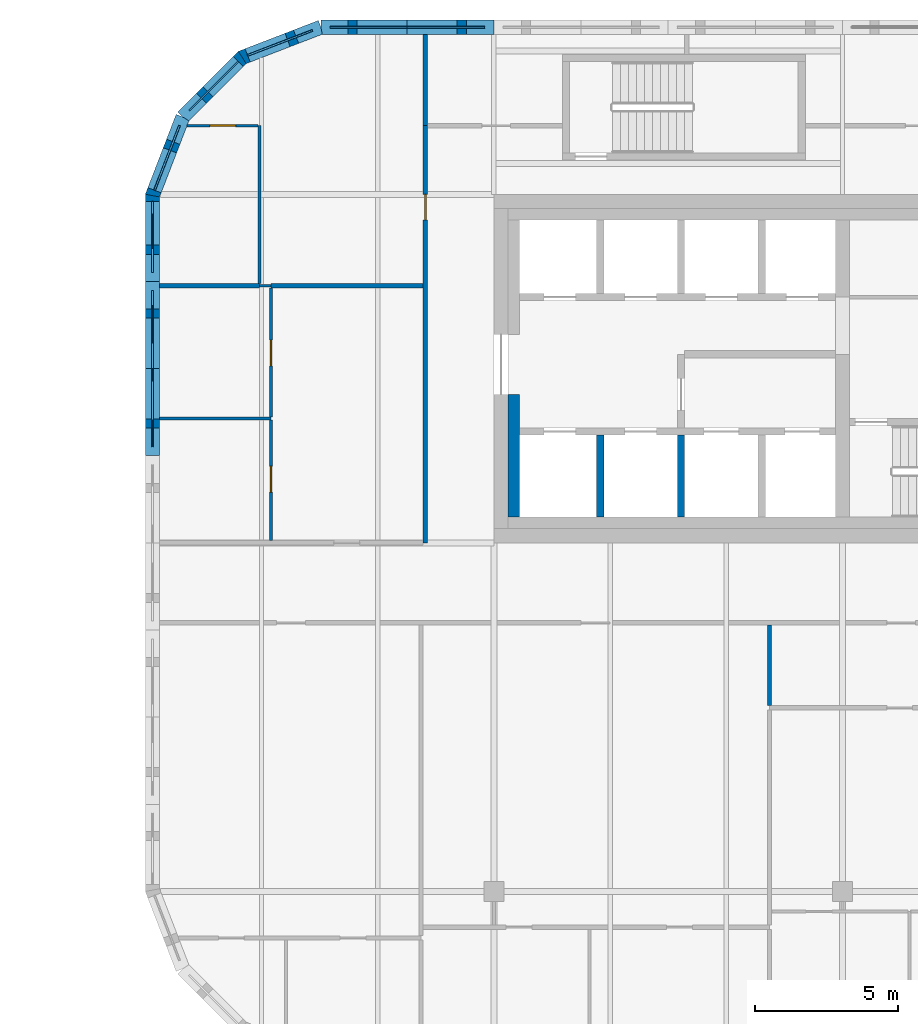
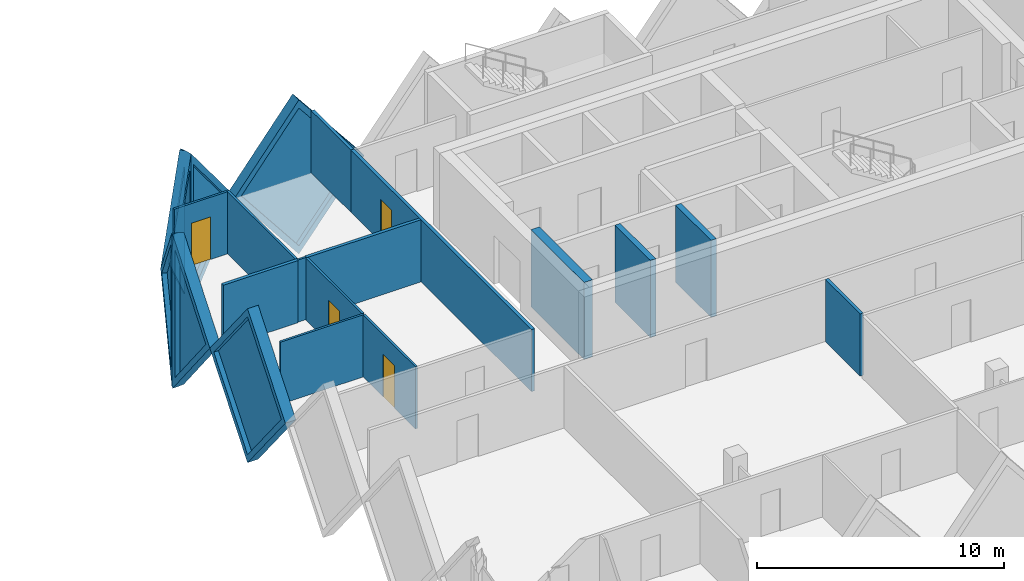
# One storey, part 13 of 19: 20 walls, 6 plates, 4 doors, 10 openings.
"""IFC4 building model written with IfcOpenShell, lengths in metres."""

from ifc_helpers import new_model, si_unit, direction, frame, frame_2d, origin, place, context, subcontext, project, spatial, polyline, rectangle, outline, extrude, faceted_brep, source, transform, mapped, material, layer, layer_set, type_object, element, fill, save


model = new_model("IFC4")

# Units and contexts
model_context = context("Model", 3, precision=1e-05, world=origin(), true_north=direction((0.0, 1.0)))
body_context = subcontext(model_context, "Body", "Model", "MODEL_VIEW")
ifc_project = project(units=[si_unit("LENGTHUNIT", "METRE"), si_unit("AREAUNIT", "SQUARE_METRE"), si_unit("VOLUMEUNIT", "CUBIC_METRE"), si_unit("PLANEANGLEUNIT", "RADIAN"), si_unit("MASSUNIT", "GRAM", prefix="KILO")], contexts=[model_context])

# Site, building, storey
site_placement = place(None, origin())
site = spatial("IfcSite", under=ifc_project, at=site_placement, CompositionType="ELEMENT")
building_placement = place(site_placement, origin())
building = spatial("IfcBuilding", under=site, at=building_placement, Name="Tessera Gate Towers", CompositionType="ELEMENT")
storey_placement = place(building_placement, frame((0.0, 0.0, 72.39990234375)))
storey = spatial("IfcBuildingStorey", under=building, at=storey_placement, Name="L17", CompositionType="ELEMENT", Elevation=72.39990234375)

# Walls
ifc_material_1 = material(Name="Concrete C40/50", Category="concrete")
ifc_layer_1 = layer(ifc_material_1, 0.25)
ifc_layer_set_1 = layer_set([ifc_layer_1], Name="CORE ENCLOSURE WALL 250")
wall_type_1 = type_object("IfcWallType", Name="CORE ENCLOSURE WALL 250", PredefinedType="SOLIDWALL", material=ifc_layer_set_1)
for number, where, z_axis, x_axis, name in (
    (1, (104.14990234375, 37.5, 0.0), (0.0, 0.0, 1.0), (0.0, 1.0, 0.0), "L17 shaft and stair enclosure wall"),
    (2, (101.324951171875, 37.5, 0.0), (0.0, 0.0, 1.0), (0.0, 1.0, 0.0), "L17 shaft and stair enclosure wall"),
):
    element("IfcWall", number, at=place(storey_placement, frame(where, z_axis=z_axis, x_axis=x_axis)), inside=storey, type_object=wall_type_1, Name=name, PredefinedType="SOLIDWALL", context=body_context, shape_type="SweptSolid", body=[
        extrude(rectangle(XDim=2.875, YDim=0.25, at=frame_2d((1.4375, 0.0))), origin(), (0.0, 0.0, 1.0), 3.800048828125),
    ])
ifc_material_2 = material(Name="Concrete C50/60", Category="concrete")
ifc_layer_2 = layer(ifc_material_2, 0.39990234375)
ifc_layer_set_2 = layer_set([ifc_layer_2], Name="CORE WALL THICKENING 400")
wall_type_2 = type_object("IfcWallType", Name="CORE WALL THICKENING 400", PredefinedType="SOLIDWALL", material=ifc_layer_set_2)
wall_1_placement = place(storey_placement, frame((98.300048828125, 37.5, 0.0), z_axis=(0.0, 0.0, 1.0), x_axis=(0.0, 1.0, 0.0)))
element("IfcWall", 3, at=wall_1_placement, inside=storey, type_object=wall_type_2, Name="Core wall thickening W L17", PredefinedType="SOLIDWALL", context=body_context, shape_type="SweptSolid", body=[
    extrude(rectangle(XDim=4.300048828125, YDim=0.39990234375, at=frame_2d((2.14990234375, 0.0))), origin(), (0.0, 0.0, 1.0), 3.800048828125),
])

# Wall, opening, door
ifc_material_3 = material(Name="Gypsum board on steel studs, mineral wool", Category="steel")
ifc_layer_3 = layer(ifc_material_3, 0.14990234375)
ifc_layer_set_3 = layer_set([ifc_layer_3], Name="CORRIDOR WALL 150")
wall_type_3 = type_object("IfcWallType", Name="CORRIDOR WALL 150", PredefinedType="PARTITIONING", material=ifc_layer_set_3)
wall_2_placement = place(storey_placement, frame((95.199951171875, 36.60009765625, 0.0), z_axis=(0.0, 0.0, 1.0), x_axis=(0.0, 1.0, 0.0)))
wall_2 = element("IfcWall", 4, at=wall_2_placement, inside=storey, type_object=wall_type_3, Name="T2-L17-PW-029", PredefinedType="PARTITIONING", context=body_context, shape_type="SweptSolid", body=[
    extrude(rectangle(XDim=14.599853515625, YDim=0.14990234375, at=frame_2d((7.2998046875, 0.0))), origin(), (0.0, 0.0, 1.0), 3.067138671875),
])
shared_shape_1 = source(origin(), body_context, "Body", "SweptSolid", [
    extrude(rectangle(XDim=0.89990234375, YDim=2.10009765625, at=frame_2d((0.449951171875, 1.050048828125))), frame((0.0, 0.0849609375, 0.0), z_axis=(0.0, -1.0, 0.0), x_axis=(1.0, 0.0, 0.0)), (0.0, 0.0, 1.0), 0.169921875),
])
opening_1_placement = place(wall_2_placement, frame((11.301025390625, 0.0, 0.0)))
opening_1 = element("IfcOpeningElement", 5, at=opening_1_placement, cuts=wall_2, Name="Opening D890FD60-B07-01", PredefinedType="OPENING", context=body_context, shape_type="MappedRepresentation", body=[
    mapped(shared_shape_1, transform((0.0, 0.0, 0.0), scale=1.0)),
])
ifc_material_4 = material(Name="Timber door leaf in steel frame", Category="steel")
door_type_1 = type_object("IfcDoorType", Name="CORRIDOR DOOR 900 FD60", OperationType="NOTDEFINED", PredefinedType="DOOR", material=ifc_material_4)
shared_shape_2 = source(origin(), body_context, "Body", "SweptSolid", [
    extrude(rectangle(XDim=0.89990234375, YDim=2.10009765625, at=frame_2d((0.449951171875, 1.050048828125))), frame((0.0, 0.02490234375, 0.0), z_axis=(0.0, -1.0, 0.0), x_axis=(1.0, 0.0, 0.0)), (0.0, 0.0, 1.0), 0.050048828125),
])
door_1_placement = place(opening_1_placement, origin())
door_1 = element("IfcDoor", 6, at=door_1_placement, inside=storey, type_object=door_type_1, Name="T2-L17-PD-010", OperationType="SINGLE_SWING_LEFT", OverallHeight=2.10009765625, OverallWidth=0.89990234375, PredefinedType="DOOR", context=body_context, shape_type="MappedRepresentation", body=[
    mapped(shared_shape_2, transform((0.0, 0.0, 0.0), scale=1.0)),
])
fill(opening_1, door_1)

ifc_material_5 = material(Name="Glass", Category="glass")
ifc_layer_4 = layer(ifc_material_5, 0.10009765625)
ifc_layer_set_4 = layer_set([ifc_layer_4], Name="GLAZED PARTITION 100")
wall_type_4 = type_object("IfcWallType", Name="GLAZED PARTITION 100", PredefinedType="PARTITIONING", material=ifc_layer_set_4)
wall_3_placement = place(storey_placement, frame((89.800048828125, 36.676025390625, 0.0), z_axis=(0.0, 0.0, 1.0), x_axis=(0.0, 1.0, 0.0)))
wall_3 = element("IfcWall", 7, at=wall_3_placement, inside=storey, type_object=wall_type_4, Name="T2-L17-PW-032", PredefinedType="PARTITIONING", context=body_context, shape_type="SweptSolid", body=[
    extrude(rectangle(XDim=4.220703125, YDim=0.10009765625, at=frame_2d((2.1103515625, 0.0))), origin(), (0.0, 0.0, 1.0), 3.067138671875),
])
shared_shape_3 = source(origin(), body_context, "Body", "SweptSolid", [
    extrude(rectangle(XDim=0.89990234375, YDim=2.10009765625, at=frame_2d((0.449951171875, 1.050048828125))), frame((0.0, 0.06005859375, 0.0), z_axis=(0.0, -1.0, 0.0), x_axis=(1.0, 0.0, 0.0)), (0.0, 0.0, 1.0), 0.1201171875),
])
opening_2_placement = place(wall_3_placement, frame((1.699951171875, 0.0, 0.0)))
opening_2 = element("IfcOpeningElement", 8, at=opening_2_placement, cuts=wall_3, Name="Opening D690-B07-01", PredefinedType="OPENING", context=body_context, shape_type="MappedRepresentation", body=[
    mapped(shared_shape_3, transform((0.0, 0.0, 0.0), scale=1.0)),
])
ifc_material_6 = material(Name="Glass in aluminium frame", Category="aluminium")
door_type_2 = type_object("IfcDoorType", Name="GLAZED DOOR 900 NOT RATED", OperationType="NOTDEFINED", PredefinedType="DOOR", material=ifc_material_6)
door_2_placement = place(opening_2_placement, origin())
door_2 = element("IfcDoor", 9, at=door_2_placement, inside=storey, type_object=door_type_2, Name="T2-L17-PD-003", OperationType="SINGLE_SWING_LEFT", OverallHeight=2.10009765625, OverallWidth=0.89990234375, PredefinedType="DOOR", context=body_context, shape_type="MappedRepresentation", body=[
    mapped(shared_shape_2, transform((0.0, 0.0, 0.0), scale=1.0)),
])
fill(opening_2, door_2)

wall_4_placement = place(storey_placement, frame((89.800048828125, 40.998779296875, 0.0), z_axis=(0.0, 0.0, 1.0), x_axis=(0.0, 1.0, 0.0)))
wall_4 = element("IfcWall", 10, at=wall_4_placement, inside=storey, type_object=wall_type_4, Name="T2-L17-PW-035", PredefinedType="PARTITIONING", context=body_context, shape_type="SweptSolid", body=[
    extrude(rectangle(XDim=4.525146484375, YDim=0.10009765625, at=frame_2d((2.2626953125, 0.0))), origin(), (0.0, 0.0, 1.0), 3.067138671875),
])
opening_3_placement = place(wall_4_placement, frame((1.800048828125, 0.0, 0.0)))
opening_3 = element("IfcOpeningElement", 11, at=opening_3_placement, cuts=wall_4, Name="Opening D690-B07-02", PredefinedType="OPENING", context=body_context, shape_type="MappedRepresentation", body=[
    mapped(shared_shape_3, transform((0.0, 0.0, 0.0), scale=1.0)),
])
door_3_placement = place(opening_3_placement, origin())
door_3 = element("IfcDoor", 12, at=door_3_placement, inside=storey, type_object=door_type_2, Name="T2-L17-PD-005", OperationType="SINGLE_SWING_LEFT", OverallHeight=2.10009765625, OverallWidth=0.89990234375, PredefinedType="DOOR", context=body_context, shape_type="MappedRepresentation", body=[
    mapped(shared_shape_2, transform((0.0, 0.0, 0.0), scale=1.0)),
])
fill(opening_3, door_3)

# Walls
wall_5_placement = place(storey_placement, frame((89.39599609375, 45.60009765625, 0.0), z_axis=(0.0, 0.0, 1.0), x_axis=(1.0, 0.0, 0.0)))
element("IfcWall", 13, at=wall_5_placement, inside=storey, type_object=wall_type_4, Name="T2-L17-PW-040", PredefinedType="PARTITIONING", context=body_context, shape_type="SweptSolid", body=[
    extrude(rectangle(XDim=0.403076171875, YDim=0.10009765625, at=frame_2d((0.20166015625, 0.0))), origin(), (0.0, 0.0, 1.0), 3.067138671875),
])
ifc_material_7 = material(Name="Gypsum board on steel studs", Category="steel")
ifc_layer_5 = layer(ifc_material_7, 0.10009765625)
ifc_layer_set_5 = layer_set([ifc_layer_5], Name="PARTITION 100")
wall_type_5 = type_object("IfcWallType", Name="PARTITION 100", PredefinedType="PARTITIONING", material=ifc_layer_set_5)
wall_6_placement = place(storey_placement, frame((85.89990234375, 40.947998046875, 0.0), z_axis=(0.0, 0.0, 1.0), x_axis=(1.0, 0.0, 0.0)))
element("IfcWall", 14, at=wall_6_placement, inside=storey, type_object=wall_type_5, Name="T2-L17-PW-034", PredefinedType="PARTITIONING", context=body_context, shape_type="SweptSolid", body=[
    extrude(rectangle(XDim=3.900146484375, YDim=0.10009765625, at=frame_2d((1.9501953125, 0.0))), origin(), (0.0, 0.0, 1.0), 3.067138671875),
])
wall_7_placement = place(storey_placement, frame((89.39501953125, 45.676025390625, 0.0), z_axis=(0.0, 0.0, 1.0), x_axis=(0.0, 1.0, 0.0)))
element("IfcWall", 15, at=wall_7_placement, inside=storey, type_object=wall_type_5, Name="T2-L17-PW-042", PredefinedType="PARTITIONING", context=body_context, shape_type="SweptSolid", body=[
    extrude(rectangle(XDim=5.52392578125, YDim=0.10009765625, at=frame_2d((2.761962890625, 0.0))), origin(), (0.0, 0.0, 1.0), 3.067138671875),
])

# Wall, opening, door
wall_8_placement = place(storey_placement, frame((89.343994140625, 51.199951171875, 0.0), z_axis=(0.0, 0.0, 1.0), x_axis=(-1.0, 0.0, 0.0)))
wall_8 = element("IfcWall", 16, at=wall_8_placement, inside=storey, type_object=wall_type_5, Name="T2-L17-PW-043", PredefinedType="PARTITIONING", context=body_context, shape_type="SweptSolid", body=[
    extrude(rectangle(XDim=2.482177734375, YDim=0.10009765625, at=frame_2d((1.2412109375, 0.0))), origin(), (0.0, 0.0, 1.0), 3.067138671875),
])
opening_4_placement = place(wall_8_placement, frame((0.7822265625, 0.0, 0.0)))
opening_4 = element("IfcOpeningElement", 17, at=opening_4_placement, cuts=wall_8, Name="Opening D190-B07-10", PredefinedType="OPENING", context=body_context, shape_type="MappedRepresentation", body=[
    mapped(shared_shape_3, transform((0.0, 0.0, 0.0), scale=1.0)),
])
ifc_material_8 = material(Name="Timber door leaf in steel frame", Category="steel")
door_type_3 = type_object("IfcDoorType", Name="INTERNAL DOOR 900 NOT RATED", OperationType="NOTDEFINED", PredefinedType="DOOR", material=ifc_material_8)
door_4_placement = place(opening_4_placement, origin())
door_4 = element("IfcDoor", 18, at=door_4_placement, inside=storey, type_object=door_type_3, Name="T2-L17-PD-016", OperationType="SINGLE_SWING_RIGHT", OverallHeight=2.10009765625, OverallWidth=0.89990234375, PredefinedType="DOOR", context=body_context, shape_type="MappedRepresentation", body=[
    mapped(shared_shape_2, transform((0.0, 0.0, 0.0), scale=1.0)),
])
fill(opening_4, door_4)

# Walls
ifc_material_9 = material(Name="Gypsum board on steel studs, mineral wool", Category="steel")
ifc_layer_6 = layer(ifc_material_9, 0.14990234375)
ifc_layer_set_6 = layer_set([ifc_layer_6], Name="TENANCY WALL 150")
wall_type_6 = type_object("IfcWallType", Name="TENANCY WALL 150", PredefinedType="PARTITIONING", material=ifc_layer_set_6)
wall_9_placement = place(storey_placement, frame((107.25, 30.90087890625, 0.0), z_axis=(0.0, 0.0, 1.0), x_axis=(0.0, 1.0, 0.0)))
element("IfcWall", 19, at=wall_9_placement, inside=storey, type_object=wall_type_6, Name="T2-L17-PW-024", PredefinedType="PARTITIONING", context=body_context, shape_type="SweptSolid", body=[
    extrude(rectangle(XDim=2.8232421875, YDim=0.14990234375, at=frame_2d((1.41162109375, 0.0))), origin(), (0.0, 0.0, 1.0), 3.067138671875),
])
wall_10_placement = place(storey_placement, frame((85.89990234375, 45.60009765625, 0.0), z_axis=(0.0, 0.0, 1.0), x_axis=(1.0, 0.0, 0.0)))
element("IfcWall", 20, at=wall_10_placement, inside=storey, type_object=wall_type_6, Name="T2-L17-PW-039", PredefinedType="PARTITIONING", context=body_context, shape_type="SweptSolid", body=[
    extrude(rectangle(XDim=3.4951171875, YDim=0.14990234375, at=frame_2d((1.74755859375, 0.0))), origin(), (0.0, 0.0, 1.0), 3.067138671875),
])
wall_11_placement = place(storey_placement, frame((89.800048828125, 45.60009765625, 0.0), z_axis=(0.0, 0.0, 1.0), x_axis=(1.0, 0.0, 0.0)))
element("IfcWall", 21, at=wall_11_placement, inside=storey, type_object=wall_type_6, Name="T2-L17-PW-041", PredefinedType="PARTITIONING", context=body_context, shape_type="SweptSolid", body=[
    extrude(rectangle(XDim=5.323974609375, YDim=0.14990234375, at=frame_2d((2.662109375, 0.0))), origin(), (0.0, 0.0, 1.0), 3.067138671875),
])
wall_12_placement = place(storey_placement, frame((95.199951171875, 51.200927734375, 0.0), z_axis=(0.0, 0.0, 1.0), x_axis=(0.0, 1.0, 0.0)))
element("IfcWall", 22, at=wall_12_placement, inside=storey, type_object=wall_type_6, Name="T2-L17-PW-044", PredefinedType="PARTITIONING", context=body_context, shape_type="SweptSolid", body=[
    extrude(rectangle(XDim=3.198974609375, YDim=0.14990234375, at=frame_2d((1.599609375, 0.0))), origin(), (0.0, 0.0, 1.0), 3.067138671875),
])

# Wall, opening, plate
ifc_material_10 = material(Name="Precast concrete C60/75 white", Category="concrete")
ifc_layer_7 = layer(ifc_material_10, 0.5)
ifc_layer_set_7 = layer_set([ifc_layer_7], Name="TS3 corner tessera")
wall_type_7 = type_object("IfcWallType", Name="TS3 corner tessera", PredefinedType="SOLIDWALL", material=ifc_layer_set_7)
shared_shape_4 = source(origin(), body_context, "Body", "Brep", [
    faceted_brep([(0.046630859375, -0.25, 0.0), (3.050048828125, -0.25, 3.7998046875), (0.046630859375, -0.25, 7.599853515625), (0.0, -0.25, 7.539794921875), (0.0, -0.25, 0.06005859375), (0.09326171875, 0.25, 7.541015625), (3.050048828125, 0.25, 3.7998046875), (0.09326171875, 0.25, 0.058837890625), (0.046630859375, 0.0, 0.0), (0.046630859375, 0.0, 7.599853515625)], [[[0, 1, 2, 3, 4]], [[5, 6, 7]], [[7, 6, 1, 0, 8]], [[6, 5, 9, 2, 1]], [[3, 2, 9]], [[8, 0, 4]], [[7, 8, 4, 3, 9, 5]]]),
])
wall_13_placement = place(storey_placement, frame((85.64990234375, 48.800048828125, -3.7998046875), z_axis=(0.0, 0.0, 1.0), x_axis=(0.0, -1.0, 0.0)))
wall_13 = element("IfcWall", 23, at=wall_13_placement, inside=storey, type_object=wall_type_7, Name="Precast corner tessera T2 TS3-0252", PredefinedType="SOLIDWALL", context=body_context, shape_type="MappedRepresentation", body=[
    mapped(shared_shape_4, transform((0.0, 0.0, 0.0), scale=1.0)),
])
shared_shape_5 = source(origin(), body_context, "Body", "SweptSolid", [
    extrude(outline(polyline([(0.24658203125, 0.656005859375), (2.7314453125, 3.7998046875), (0.24658203125, 6.943603515625), (0.24658203125, 0.656005859375)])), frame((0.0, 0.260009765625, 0.0), z_axis=(0.0, -1.0, 0.0), x_axis=(1.0, 0.0, 0.0)), (0.0, 0.0, 1.0), 0.52001953125),
])
opening_5_placement = place(wall_13_placement, origin())
opening_5 = element("IfcOpeningElement", 24, at=opening_5_placement, cuts=wall_13, Name="Opening T2-PL2-0366", PredefinedType="OPENING", context=body_context, shape_type="MappedRepresentation", body=[
    mapped(shared_shape_5, transform((0.0, 0.0, 0.0), scale=1.0)),
])
ifc_material_11 = material(Name="Low-e laminated glass", Category="glass")
ifc_layer_8 = layer(ifc_material_11, 0.06005859375)
ifc_layer_set_8 = layer_set([ifc_layer_8], Name="PL2 rhombic pane")
plate_type = type_object("IfcPlateType", Name="PL2 rhombic pane", PredefinedType="SHEET", material=ifc_layer_set_8)
shared_shape_6 = source(origin(), body_context, "Body", "SweptSolid", [
    extrude(outline(polyline([(0.24658203125, 0.656005859375), (2.7314453125, 3.7998046875), (0.24658203125, 6.943603515625), (0.24658203125, 0.656005859375)])), frame((0.0, 0.030029296875, 0.0), z_axis=(0.0, -1.0, 0.0), x_axis=(1.0, 0.0, 0.0)), (0.0, 0.0, 1.0), 0.06005859375),
])
plate_1_placement = place(opening_5_placement, origin())
plate_1 = element("IfcPlate", 25, at=plate_1_placement, inside=storey, type_object=plate_type, Name="Glass pane T2 PL2-0366", PredefinedType="SHEET", context=body_context, shape_type="MappedRepresentation", body=[
    mapped(shared_shape_6, transform((0.0, 0.0, 0.0), scale=1.0)),
])
fill(opening_5, plate_1)

shared_shape_7 = source(origin(), body_context, "Body", "Brep", [
    faceted_brep([(2.950439453125, -0.25, 0.0), (2.9970703125, -0.25, 0.05908203125), (2.9970703125, -0.25, 7.540771484375), (2.950439453125, -0.25, 7.599853515625), (0.0, -0.25, 3.7998046875), (0.052978515625, 0.25, 3.867919921875), (2.904052734375, 0.25, 7.5400390625), (2.904052734375, 0.25, 0.059814453125), (0.052978515625, 0.25, 3.731689453125), (2.950439453125, 0.00048828125, 0.0), (2.950439453125, 0.00048828125, 7.599853515625), (0.0, 0.0, 3.7998046875)], [[[0, 1, 2, 3, 4]], [[5, 6, 7, 8]], [[1, 0, 9]], [[10, 3, 2]], [[6, 5, 11, 4, 3, 10]], [[8, 7, 9, 0, 4, 11]], [[8, 11, 5]], [[1, 9, 7, 6, 10, 2]]]),
])
wall_14_placement = place(storey_placement, frame((86.7119140625, 51.50634765625, -3.7998046875), z_axis=(0.0, 0.0, 1.0), x_axis=(-0.359874094142, -0.933000876937, 0.0)))
wall_14 = element("IfcWall", 26, at=wall_14_placement, inside=storey, type_object=wall_type_7, Name="Precast corner tessera T2 TS3-0251", PredefinedType="SOLIDWALL", context=body_context, shape_type="MappedRepresentation", body=[
    mapped(shared_shape_7, transform((0.0, 0.0, 0.0), scale=1.0)),
])
shared_shape_8 = source(origin(), body_context, "Body", "SweptSolid", [
    extrude(outline(polyline([(2.75048828125, 6.9345703125), (0.31640625, 3.7998046875), (2.75048828125, 0.6650390625), (2.75048828125, 6.9345703125)])), frame((0.0, 0.260009765625, 0.0), z_axis=(0.0, -1.0, 0.0), x_axis=(1.0, 0.0, 0.0)), (0.0, 0.0, 1.0), 0.52001953125),
])
opening_6_placement = place(wall_14_placement, origin())
opening_6 = element("IfcOpeningElement", 27, at=opening_6_placement, cuts=wall_14, Name="Opening T2-PL2-0365", PredefinedType="OPENING", context=body_context, shape_type="MappedRepresentation", body=[
    mapped(shared_shape_8, transform((0.0, 0.0, 0.0), scale=1.0)),
])
shared_shape_9 = source(origin(), body_context, "Body", "SweptSolid", [
    extrude(outline(polyline([(2.75048828125, 6.9345703125), (0.31640625, 3.7998046875), (2.75048828125, 0.6650390625), (2.75048828125, 6.9345703125)])), frame((0.0, 0.030029296875, 0.0), z_axis=(0.0, -1.0, 0.0), x_axis=(1.0, 0.0, 0.0)), (0.0, 0.0, 1.0), 0.06005859375),
])
plate_2_placement = place(opening_6_placement, origin())
plate_2 = element("IfcPlate", 28, at=plate_2_placement, inside=storey, type_object=plate_type, Name="Glass pane T2 PL2-0365", PredefinedType="SHEET", context=body_context, shape_type="MappedRepresentation", body=[
    mapped(shared_shape_9, transform((0.0, 0.0, 0.0), scale=1.0)),
])
fill(opening_6, plate_2)

ifc_material_12 = material(Name="Precast concrete C60/75 white", Category="concrete")
ifc_layer_9 = layer(ifc_material_12, 0.5)
ifc_layer_set_9 = layer_set([ifc_layer_9], Name="TS1 tessera")
wall_type_8 = type_object("IfcWallType", Name="TS1 tessera", PredefinedType="SOLIDWALL", material=ifc_layer_set_9)
shared_shape_10 = source(origin(), body_context, "Body", "SweptSolid", [
    extrude(outline(polyline([(3.050048828125, 0.0), (6.10009765625, 3.7998046875), (3.050048828125, 7.599853515625), (0.0, 3.7998046875), (3.050048828125, 0.0)])), frame((0.0, 0.25, 0.0), z_axis=(0.0, -1.0, 0.0), x_axis=(1.0, 0.0, 0.0)), (0.0, 0.0, 1.0), 0.5),
])
wall_15_placement = place(storey_placement, frame((85.64990234375, 45.75, -3.7998046875), z_axis=(0.0, 0.0, 1.0), x_axis=(0.0, -1.0, 0.0)))
wall_15 = element("IfcWall", 29, at=wall_15_placement, inside=storey, type_object=wall_type_8, Name="Precast tessera T2 TS1-0195", PredefinedType="SOLIDWALL", context=body_context, shape_type="MappedRepresentation", body=[
    mapped(shared_shape_10, transform((0.0, 0.0, 0.0), scale=1.0)),
])
shared_shape_11 = source(origin(), body_context, "Body", "SweptSolid", [
    extrude(outline(polyline([(3.050048828125, 0.3994140625), (5.779541015625, 3.7998046875), (3.050048828125, 7.200439453125), (0.320556640625, 3.7998046875), (3.050048828125, 0.3994140625)])), frame((0.0, 0.260009765625, 0.0), z_axis=(0.0, -1.0, 0.0), x_axis=(1.0, 0.0, 0.0)), (0.0, 0.0, 1.0), 0.52001953125),
])
opening_7_placement = place(wall_15_placement, origin())
opening_7 = element("IfcOpeningElement", 30, at=opening_7_placement, cuts=wall_15, Name="Opening T2-PL2-0367", PredefinedType="OPENING", context=body_context, shape_type="MappedRepresentation", body=[
    mapped(shared_shape_11, transform((0.0, 0.0, 0.0), scale=1.0)),
])
shared_shape_12 = source(origin(), body_context, "Body", "SweptSolid", [
    extrude(outline(polyline([(3.050048828125, 0.3994140625), (5.779541015625, 3.7998046875), (3.050048828125, 7.200439453125), (0.320556640625, 3.7998046875), (3.050048828125, 0.3994140625)])), frame((0.0, 0.030029296875, 0.0), z_axis=(0.0, -1.0, 0.0), x_axis=(1.0, 0.0, 0.0)), (0.0, 0.0, 1.0), 0.06005859375),
])
plate_3_placement = place(opening_7_placement, origin())
plate_3 = element("IfcPlate", 31, at=plate_3_placement, inside=storey, type_object=plate_type, Name="Glass pane T2 PL2-0367", PredefinedType="SHEET", context=body_context, shape_type="MappedRepresentation", body=[
    mapped(shared_shape_12, transform((0.0, 0.0, 0.0), scale=1.0)),
])
fill(opening_7, plate_3)

shared_shape_13 = source(origin(), body_context, "Body", "Brep", [
    faceted_brep([(3.050048828125, -0.25, 0.0), (6.053466796875, -0.25, 3.7998046875), (3.050048828125, -0.25, 7.599853515625), (0.0, -0.25, 3.7998046875), (0.0, 0.25, 3.7998046875), (3.050048828125, 0.25, 7.599853515625), (6.0068359375, 0.25, 3.858642578125), (6.0068359375, 0.25, 3.740966796875), (3.050048828125, 0.25, 0.0), (6.053466796875, 0.0, 3.7998046875)], [[[0, 1, 2, 3]], [[4, 5, 6, 7, 8]], [[8, 7, 9, 1, 0]], [[6, 5, 2, 1, 9]], [[5, 4, 3, 2]], [[4, 8, 0, 3]], [[9, 7, 6]]]),
])
wall_16_placement = place(storey_placement, frame((97.60009765625, 54.64990234375, -3.7998046875), z_axis=(0.0, 0.0, 1.0), x_axis=(-1.0, 0.0, 0.0)))
wall_16 = element("IfcWall", 32, at=wall_16_placement, inside=storey, type_object=wall_type_8, Name="Precast tessera T2 TS1-0194", PredefinedType="SOLIDWALL", context=body_context, shape_type="MappedRepresentation", body=[
    mapped(shared_shape_13, transform((0.0, 0.0, 0.0), scale=1.0)),
])
shared_shape_14 = source(origin(), body_context, "Body", "SweptSolid", [
    extrude(outline(polyline([(3.048583984375, 0.401123046875), (5.73486328125, 3.7998046875), (3.048583984375, 7.19873046875), (0.320556640625, 3.7998046875), (3.048583984375, 0.401123046875)])), frame((0.0, 0.260009765625, 0.0), z_axis=(0.0, -1.0, 0.0), x_axis=(1.0, 0.0, 0.0)), (0.0, 0.0, 1.0), 0.52001953125),
])
opening_8_placement = place(wall_16_placement, origin())
opening_8 = element("IfcOpeningElement", 33, at=opening_8_placement, cuts=wall_16, Name="Opening T2-PL2-0362", PredefinedType="OPENING", context=body_context, shape_type="MappedRepresentation", body=[
    mapped(shared_shape_14, transform((0.0, 0.0, 0.0), scale=1.0)),
])
shared_shape_15 = source(origin(), body_context, "Body", "SweptSolid", [
    extrude(outline(polyline([(3.048583984375, 0.401123046875), (5.73486328125, 3.7998046875), (3.048583984375, 7.19873046875), (0.320556640625, 3.7998046875), (3.048583984375, 0.401123046875)])), frame((0.0, 0.030029296875, 0.0), z_axis=(0.0, -1.0, 0.0), x_axis=(1.0, 0.0, 0.0)), (0.0, 0.0, 1.0), 0.06005859375),
])
plate_4_placement = place(opening_8_placement, origin())
plate_4 = element("IfcPlate", 34, at=plate_4_placement, inside=storey, type_object=plate_type, Name="Glass pane T2 PL2-0362", PredefinedType="SHEET", context=body_context, shape_type="MappedRepresentation", body=[
    mapped(shared_shape_15, transform((0.0, 0.0, 0.0), scale=1.0)),
])
fill(opening_8, plate_4)

shared_shape_16 = source(origin(), body_context, "Body", "Brep", [
    faceted_brep([(0.052978515625, -0.25, 0.0), (2.9970703125, -0.25, 3.7998046875), (0.052978515625, -0.25, 7.599853515625), (0.0, -0.25, 7.53173828125), (0.0, -0.25, 0.068115234375), (0.10595703125, 0.25, 7.531494140625), (2.944091796875, 0.25, 3.867919921875), (2.944091796875, 0.25, 3.731689453125), (0.10595703125, 0.25, 0.068359375), (2.9970703125, 0.000244140625, 3.7998046875), (0.052978515625, 0.0, 0.0), (0.052978515625, 0.0, 7.599853515625)], [[[0, 1, 2, 3, 4]], [[5, 6, 7, 8]], [[8, 7, 9, 1, 0, 10]], [[6, 5, 11, 2, 1, 9]], [[3, 2, 11]], [[10, 0, 4]], [[8, 10, 4, 3, 11, 5]], [[9, 7, 6]]]),
])
wall_17_placement = place(storey_placement, frame((88.831298828125, 53.62548828125, -3.7998046875), z_axis=(0.0, 0.0, 1.0), x_axis=(-0.707147509625, -0.707066050402, 0.0)))
wall_17 = element("IfcWall", 35, at=wall_17_placement, inside=storey, type_object=wall_type_7, Name="Precast corner tessera T2 TS3-0250", PredefinedType="SOLIDWALL", context=body_context, shape_type="MappedRepresentation", body=[
    mapped(shared_shape_16, transform((0.0, 0.0, 0.0), scale=1.0)),
])
shared_shape_17 = source(origin(), body_context, "Body", "SweptSolid", [
    extrude(outline(polyline([(0.2529296875, 0.666259765625), (2.680908203125, 3.7998046875), (0.2529296875, 6.93359375), (0.2529296875, 0.666259765625)])), frame((0.0, 0.260009765625, 0.0), z_axis=(0.0, -1.0, 0.0), x_axis=(1.0, 0.0, 0.0)), (0.0, 0.0, 1.0), 0.52001953125),
])
opening_9_placement = place(wall_17_placement, origin())
opening_9 = element("IfcOpeningElement", 36, at=opening_9_placement, cuts=wall_17, Name="Opening T2-PL2-0364", PredefinedType="OPENING", context=body_context, shape_type="MappedRepresentation", body=[
    mapped(shared_shape_17, transform((0.0, 0.0, 0.0), scale=1.0)),
])
shared_shape_18 = source(origin(), body_context, "Body", "SweptSolid", [
    extrude(outline(polyline([(0.2529296875, 0.666259765625), (2.680908203125, 3.7998046875), (0.2529296875, 6.93359375), (0.2529296875, 0.666259765625)])), frame((0.0, 0.030029296875, 0.0), z_axis=(0.0, -1.0, 0.0), x_axis=(1.0, 0.0, 0.0)), (0.0, 0.0, 1.0), 0.06005859375),
])
plate_5_placement = place(opening_9_placement, origin())
plate_5 = element("IfcPlate", 37, at=plate_5_placement, inside=storey, type_object=plate_type, Name="Glass pane T2 PL2-0364", PredefinedType="SHEET", context=body_context, shape_type="MappedRepresentation", body=[
    mapped(shared_shape_18, transform((0.0, 0.0, 0.0), scale=1.0)),
])
fill(opening_9, plate_5)

shared_shape_19 = source(origin(), body_context, "Body", "Brep", [
    faceted_brep([(2.950439453125, -0.25, 0.0), (3.00341796875, -0.25, 0.068359375), (3.00341796875, -0.25, 7.531494140625), (2.950439453125, -0.25, 7.599853515625), (0.0, -0.25, 3.7998046875), (0.046630859375, 0.25, 3.85986328125), (2.897705078125, 0.25, 7.53173828125), (2.897705078125, 0.25, 0.068115234375), (0.046630859375, 0.25, 3.73974609375), (2.950439453125, 0.00048828125, 0.0), (2.950439453125, 0.00048828125, 7.599853515625), (0.0, 0.0, 3.7998046875)], [[[0, 1, 2, 3, 4]], [[5, 6, 7, 8]], [[1, 0, 9]], [[10, 3, 2]], [[6, 5, 11, 4, 3, 10]], [[8, 7, 9, 0, 4, 11]], [[8, 11, 5]], [[1, 9, 7, 6, 10, 2]]]),
])
wall_18_placement = place(storey_placement, frame((91.546630859375, 54.64990234375, -3.7998046875), z_axis=(0.0, 0.0, 1.0), x_axis=(-0.933007896601, -0.359855894603, 0.0)))
wall_18 = element("IfcWall", 38, at=wall_18_placement, inside=storey, type_object=wall_type_7, Name="Precast corner tessera T2 TS3-0249", PredefinedType="SOLIDWALL", context=body_context, shape_type="MappedRepresentation", body=[
    mapped(shared_shape_19, transform((0.0, 0.0, 0.0), scale=1.0)),
])
opening_10_placement = place(wall_18_placement, origin())
opening_10 = element("IfcOpeningElement", 39, at=opening_10_placement, cuts=wall_18, Name="Opening T2-PL2-0363", PredefinedType="OPENING", context=body_context, shape_type="MappedRepresentation", body=[
    mapped(shared_shape_8, transform((0.0, 0.0, 0.0), scale=1.0)),
])
plate_6_placement = place(opening_10_placement, origin())
plate_6 = element("IfcPlate", 40, at=plate_6_placement, inside=storey, type_object=plate_type, Name="Glass pane T2 PL2-0363", PredefinedType="SHEET", context=body_context, shape_type="MappedRepresentation", body=[
    mapped(shared_shape_9, transform((0.0, 0.0, 0.0), scale=1.0)),
])
fill(opening_10, plate_6)

save(model, "model.ifc")
